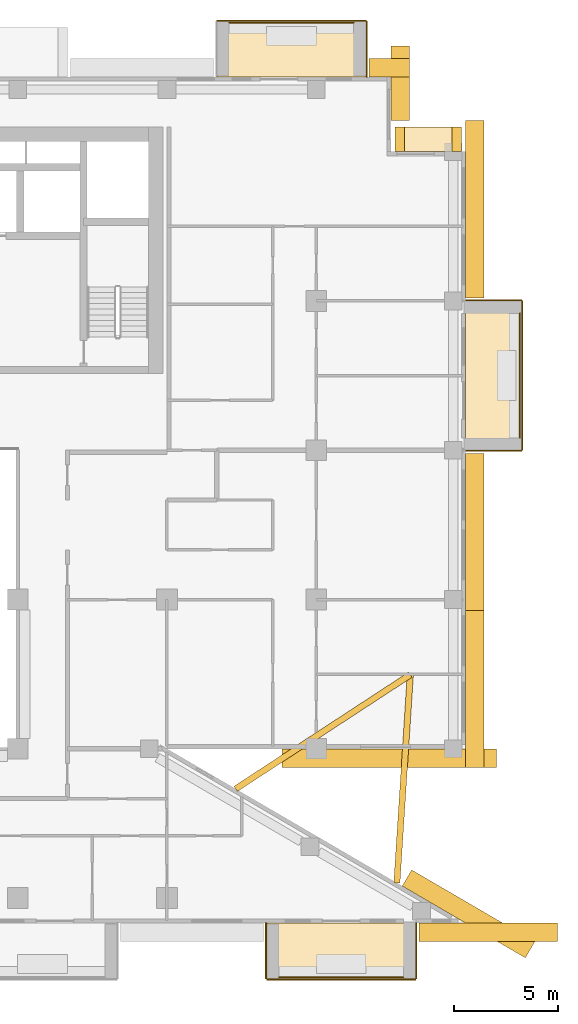
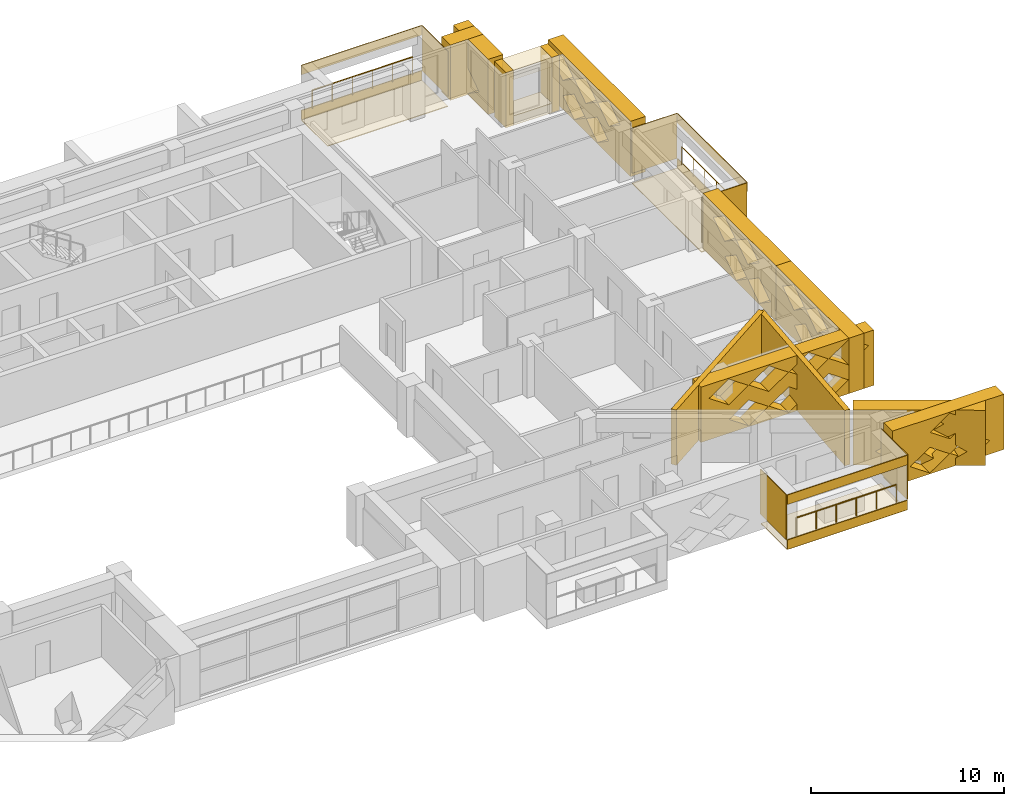
# One storey, part 20 of 20: 28 coverings, 3 railings.
"""IFC4 building model written with IfcOpenShell, lengths in metres."""

from ifc_helpers import new_model, si_unit, direction, frame, origin, origin_2d, place, context, subcontext, project, spatial, polyline, circle, outline, extrude, material, layer, layer_set, type_object, element, save


model = new_model("IFC4")

# Units and contexts
model_context = context("Model", 3, precision=1e-05, world=origin(), true_north=direction((0.0, 1.0)))
body_context = subcontext(model_context, "Body", "Model", "MODEL_VIEW")
ifc_project = project(units=[si_unit("LENGTHUNIT", "METRE"), si_unit("AREAUNIT", "SQUARE_METRE"), si_unit("VOLUMEUNIT", "CUBIC_METRE"), si_unit("PLANEANGLEUNIT", "RADIAN"), si_unit("MASSUNIT", "GRAM", prefix="KILO")], contexts=[model_context])

# Site, building, storey
site_placement = place(None, origin())
site = spatial("IfcSite", under=ifc_project, at=site_placement, CompositionType="ELEMENT")
building_placement = place(site_placement, origin())
building = spatial("IfcBuilding", under=site, at=building_placement, Name="Saffron Iwan Residences", CompositionType="ELEMENT")
storey_placement = place(building_placement, frame((0.0, 0.0, 157.0)))
storey = spatial("IfcBuildingStorey", under=building, at=storey_placement, Name="L41", CompositionType="ELEMENT", Elevation=157.0)

# Railings
ifc_material_1 = material(Name="Stainless steel 316", Category="steel")
railing_type = type_object("IfcRailingType", Name="BALCONY GUARD 1150", PredefinedType="GUARDRAIL", material=ifc_material_1)
railing_1_placement = place(storey_placement, frame((89.02490234375, 63.0, 0.0)))
element("IfcRailing", 1, at=railing_1_placement, inside=storey, type_object=railing_type, Name="Balcony guard L41 F2-0", PredefinedType="GUARDRAIL", context=body_context, shape_type="SweptSolid", body=[
    extrude(circle(Radius=0.02392578125, at=origin_2d()), frame((0.0, 0.0, 1.1259765625), z_axis=(0.0, 1.0, 0.0), x_axis=(-1.0, 0.0, 0.0)), (0.0, 0.0, 1.0), 6.0),
    extrude(circle(Radius=0.02099609375, at=origin_2d()), origin(), (0.0, 0.0, 1.0), 1.101806640625),
    extrude(circle(Radius=0.02099609375, at=origin_2d()), frame((0.0, 1.199951171875, 0.0)), (0.0, 0.0, 1.0), 1.101806640625),
    extrude(circle(Radius=0.02099609375, at=origin_2d()), frame((0.0, 2.39990234375, 0.0)), (0.0, 0.0, 1.0), 1.101806640625),
    extrude(circle(Radius=0.02099609375, at=origin_2d()), frame((0.0, 3.60009765625, 0.0)), (0.0, 0.0, 1.0), 1.101806640625),
    extrude(circle(Radius=0.02099609375, at=origin_2d()), frame((0.0, 4.800048828125, 0.0)), (0.0, 0.0, 1.0), 1.101806640625),
    extrude(circle(Radius=0.02099609375, at=origin_2d()), frame((0.0, 6.0, 0.0)), (0.0, 0.0, 1.0), 1.101806640625),
])
railing_2_placement = place(storey_placement, frame((81.0, 83.02490234375, 0.0)))
element("IfcRailing", 2, at=railing_2_placement, inside=storey, type_object=railing_type, Name="Balcony guard L41 F5-0", PredefinedType="GUARDRAIL", context=body_context, shape_type="SweptSolid", body=[
    extrude(circle(Radius=0.02392578125, at=origin_2d()), frame((0.0, 0.0, 1.1259765625), z_axis=(-1.0, 0.0, 0.0), x_axis=(0.0, -1.0, 0.0)), (0.0, 0.0, 1.0), 6.0),
    extrude(circle(Radius=0.02099609375, at=origin_2d()), origin(), (0.0, 0.0, 1.0), 1.101806640625),
    extrude(circle(Radius=0.02099609375, at=origin_2d()), frame((-1.199951171875, 0.0, 0.0)), (0.0, 0.0, 1.0), 1.101806640625),
    extrude(circle(Radius=0.02099609375, at=origin_2d()), frame((-2.39990234375, 0.0, 0.0)), (0.0, 0.0, 1.0), 1.101806640625),
    extrude(circle(Radius=0.02099609375, at=origin_2d()), frame((-3.60009765625, 0.0, 0.0)), (0.0, 0.0, 1.0), 1.101806640625),
    extrude(circle(Radius=0.02099609375, at=origin_2d()), frame((-4.800048828125, 0.0, 0.0)), (0.0, 0.0, 1.0), 1.101806640625),
    extrude(circle(Radius=0.02099609375, at=origin_2d()), frame((-6.0, 0.0, 0.0)), (0.0, 0.0, 1.0), 1.101806640625),
])
railing_3_placement = place(storey_placement, frame((77.39990234375, 36.97509765625, 0.0)))
element("IfcRailing", 3, at=railing_3_placement, inside=storey, type_object=railing_type, Name="Balcony guard L41 11-3", PredefinedType="GUARDRAIL", context=body_context, shape_type="SweptSolid", body=[
    extrude(circle(Radius=0.02392578125, at=origin_2d()), frame((0.0, 0.0, 1.1259765625), z_axis=(1.0, 0.0, 0.0), x_axis=(0.0, 1.0, 0.0)), (0.0, 0.0, 1.0), 6.0),
    extrude(circle(Radius=0.02099609375, at=origin_2d()), origin(), (0.0, 0.0, 1.0), 1.101806640625),
    extrude(circle(Radius=0.02099609375, at=origin_2d()), frame((1.199951171875, 0.0, 0.0)), (0.0, 0.0, 1.0), 1.101806640625),
    extrude(circle(Radius=0.02099609375, at=origin_2d()), frame((2.39990234375, 0.0, 0.0)), (0.0, 0.0, 1.0), 1.101806640625),
    extrude(circle(Radius=0.02099609375, at=origin_2d()), frame((3.60009765625, 0.0, 0.0)), (0.0, 0.0, 1.0), 1.101806640625),
    extrude(circle(Radius=0.02099609375, at=origin_2d()), frame((4.800048828125, 0.0, 0.0)), (0.0, 0.0, 1.0), 1.101806640625),
    extrude(circle(Radius=0.02099609375, at=origin_2d()), frame((6.0, 0.0, 0.0)), (0.0, 0.0, 1.0), 1.101806640625),
])

# Coverings
ifc_material_2 = material(Name="Precast concrete C40/50 white painted", Category="concrete")
ifc_layer_1 = layer(ifc_material_2, 0.050048828125)
ifc_layer_set_1 = layer_set([ifc_layer_1], Name="Precast concrete C40/50 white painted")
covering_type_1 = type_object("IfcCoveringType", Name="FRAME SKIN PRECAST WHITE 50", PredefinedType="CLADDING", material=ifc_layer_set_1)
for number, where, name in (
    (4, (0.0, 0.0, -0.60009765625), "Frame skin slab edge L41 F2-0"),
    (5, (0.0, 0.0, 2.25), "Frame skin fascia L41 F2-0"),
):
    element("IfcCovering", number, at=place(storey_placement, frame(where)), inside=storey, type_object=covering_type_1, Name=name, PredefinedType="CLADDING", context=body_context, shape_type="SweptSolid", body=[
        extrude(outline(polyline([(89.14990234375, 62.39990234375), (89.14990234375, 69.60009765625), (89.10009765625, 69.60009765625), (89.10009765625, 62.39990234375), (89.14990234375, 62.39990234375)])), origin(), (0.0, 0.0, 1.0), 0.60009765625),
    ])
covering_1_placement = place(storey_placement, frame((0.0, 0.0, -0.64990234375)))
element("IfcCovering", 6, at=covering_1_placement, inside=storey, type_object=covering_type_1, Name="Frame skin soffit L41 F2-0", PredefinedType="CLADDING", context=body_context, shape_type="SweptSolid", body=[
    extrude(outline(polyline([(89.10009765625, 62.39990234375), (89.10009765625, 69.60009765625), (86.39990234375, 69.60009765625), (86.39990234375, 62.39990234375), (89.10009765625, 62.39990234375)])), origin(), (0.0, 0.0, 1.0), 0.0498046875),
])
covering_2_placement = place(storey_placement, origin())
element("IfcCovering", 7, at=covering_2_placement, inside=storey, type_object=covering_type_1, Name="Frame skin fin L41 F2-0a", PredefinedType="CLADDING", context=body_context, shape_type="SweptSolid", body=[
    extrude(outline(polyline([(89.10009765625, 62.35009765625), (89.10009765625, 62.39990234375), (86.39990234375, 62.39990234375), (86.39990234375, 62.35009765625), (89.10009765625, 62.35009765625)])), origin(), (0.0, 0.0, 1.0), 2.85009765625),
])
covering_3_placement = place(storey_placement, origin())
element("IfcCovering", 8, at=covering_3_placement, inside=storey, type_object=covering_type_1, Name="Frame skin fin L41 F2-0b", PredefinedType="CLADDING", context=body_context, shape_type="SweptSolid", body=[
    extrude(outline(polyline([(89.10009765625, 69.60009765625), (89.10009765625, 69.64990234375), (86.39990234375, 69.64990234375), (86.39990234375, 69.60009765625), (89.10009765625, 69.60009765625)])), origin(), (0.0, 0.0, 1.0), 2.85009765625),
])
for number, where, name in (
    (9, (0.0, 0.0, -0.60009765625), "Frame skin slab edge L41 F5-0"),
    (10, (0.0, 0.0, 2.25), "Frame skin fascia L41 F5-0"),
):
    element("IfcCovering", number, at=place(storey_placement, frame(where)), inside=storey, type_object=covering_type_1, Name=name, PredefinedType="CLADDING", context=body_context, shape_type="SweptSolid", body=[
        extrude(outline(polyline([(81.60009765625, 83.14990234375), (74.39990234375, 83.14990234375), (74.39990234375, 83.10009765625), (81.60009765625, 83.10009765625), (81.60009765625, 83.14990234375)])), origin(), (0.0, 0.0, 1.0), 0.60009765625),
    ])
covering_4_placement = place(storey_placement, frame((0.0, 0.0, -0.64990234375)))
element("IfcCovering", 11, at=covering_4_placement, inside=storey, type_object=covering_type_1, Name="Frame skin soffit L41 F5-0", PredefinedType="CLADDING", context=body_context, shape_type="SweptSolid", body=[
    extrude(outline(polyline([(81.60009765625, 83.10009765625), (74.39990234375, 83.10009765625), (74.39990234375, 80.39990234375), (81.60009765625, 80.39990234375), (81.60009765625, 83.10009765625)])), origin(), (0.0, 0.0, 1.0), 0.0498046875),
])
covering_5_placement = place(storey_placement, origin())
element("IfcCovering", 12, at=covering_5_placement, inside=storey, type_object=covering_type_1, Name="Frame skin fin L41 F5-0a", PredefinedType="CLADDING", context=body_context, shape_type="SweptSolid", body=[
    extrude(outline(polyline([(81.64990234375, 83.10009765625), (81.60009765625, 83.10009765625), (81.60009765625, 80.39990234375), (81.64990234375, 80.39990234375), (81.64990234375, 83.10009765625)])), origin(), (0.0, 0.0, 1.0), 2.85009765625),
])
for number, where, name in (
    (13, (0.0, 0.0, -0.60009765625), "Frame skin slab edge L41 11-3"),
    (14, (0.0, 0.0, 2.25), "Frame skin fascia L41 11-3"),
):
    element("IfcCovering", number, at=place(storey_placement, frame(where)), inside=storey, type_object=covering_type_1, Name=name, PredefinedType="CLADDING", context=body_context, shape_type="SweptSolid", body=[
        extrude(outline(polyline([(76.800048828125, 36.85009765625), (84.0, 36.85009765625), (84.0, 36.89990234375), (76.800048828125, 36.89990234375), (76.800048828125, 36.85009765625)])), origin(), (0.0, 0.0, 1.0), 0.60009765625),
    ])
covering_6_placement = place(storey_placement, frame((0.0, 0.0, -0.64990234375)))
element("IfcCovering", 15, at=covering_6_placement, inside=storey, type_object=covering_type_1, Name="Frame skin soffit L41 11-3", PredefinedType="CLADDING", context=body_context, shape_type="SweptSolid", body=[
    extrude(outline(polyline([(76.800048828125, 36.89990234375), (84.0, 36.89990234375), (84.0, 39.60009765625), (76.800048828125, 39.60009765625), (76.800048828125, 36.89990234375)])), origin(), (0.0, 0.0, 1.0), 0.0498046875),
])
covering_7_placement = place(storey_placement, origin())
element("IfcCovering", 16, at=covering_7_placement, inside=storey, type_object=covering_type_1, Name="Frame skin fin L41 11-3a", PredefinedType="CLADDING", context=body_context, shape_type="SweptSolid", body=[
    extrude(outline(polyline([(76.75, 36.89990234375), (76.800048828125, 36.89990234375), (76.800048828125, 39.60009765625), (76.75, 39.60009765625), (76.75, 36.89990234375)])), origin(), (0.0, 0.0, 1.0), 2.85009765625),
])
covering_8_placement = place(storey_placement, origin())
element("IfcCovering", 17, at=covering_8_placement, inside=storey, type_object=covering_type_1, Name="Frame skin fin L41 11-3b", PredefinedType="CLADDING", context=body_context, shape_type="SweptSolid", body=[
    extrude(outline(polyline([(84.0, 36.89990234375), (84.050048828125, 36.89990234375), (84.050048828125, 39.60009765625), (84.0, 39.60009765625), (84.0, 36.89990234375)])), origin(), (0.0, 0.0, 1.0), 2.85009765625),
])
ifc_material_3 = material(Name="Precast concrete C40/50", Category="concrete")
covering_type_2 = type_object("IfcCoveringType", Name="OUTER SKIN LATTICE SCREEN", PredefinedType="CLADDING", material=ifc_material_3)
covering_9_placement = place(storey_placement, frame((89.283935546875, 37.917724609375, -0.300048828125), z_axis=(0.503803550485, 0.863818257806, 0.0), x_axis=(-0.863818257806, 0.503803550485, 0.0)))
element("IfcCovering", 18, at=covering_9_placement, inside=storey, type_object=covering_type_2, Name="OUTER SKIN lattice screen L41 F0.0", PredefinedType="CLADDING", context=body_context, shape_type="SweptSolid", body=[
    extrude(outline(polyline([(0.0, 0.0), (6.874267578125, 0.0), (6.874267578125, 3.5), (0.0, 3.5), (0.0, 0.0)]), holes=[polyline([(0.958740234375, 0.875), (2.138671875, 0.06005859375), (3.318603515625, 0.875), (2.138671875, 1.68994140625), (0.958740234375, 0.875)]), polyline([(3.358642578125, 0.875), (4.538818359375, 0.06005859375), (5.71875, 0.875), (4.538818359375, 1.68994140625), (3.358642578125, 0.875)]), polyline([(2.15869140625, 2.625), (3.338623046875, 1.81005859375), (4.518798828125, 2.625), (3.338623046875, 3.43994140625), (2.15869140625, 2.625)])]), origin(), (0.0, 0.0, 1.0), 0.89990234375),
])
covering_10_placement = place(storey_placement, frame((77.538818359375, 48.0, -0.300048828125), z_axis=(0.0, -1.0, 0.0), x_axis=(1.0, 0.0, 0.0)))
element("IfcCovering", 19, at=covering_10_placement, inside=storey, type_object=covering_type_2, Name="OUTER SKIN lattice screen L41 F1.0", PredefinedType="CLADDING", context=body_context, shape_type="SweptSolid", body=[
    extrude(outline(polyline([(0.0, 0.0), (10.361328125, 0.0), (10.361328125, 3.5), (0.0, 3.5), (0.0, 0.0)]), holes=[polyline([(1.681396484375, 0.875), (2.861328125, 0.06005859375), (4.041259765625, 0.875), (2.861328125, 1.68994140625), (1.681396484375, 0.875)]), polyline([(4.081298828125, 0.875), (5.26123046875, 0.06005859375), (6.44140625, 0.875), (5.26123046875, 1.68994140625), (4.081298828125, 0.875)]), polyline([(6.481201171875, 0.875), (7.661376953125, 0.06005859375), (8.84130859375, 0.875), (7.661376953125, 1.68994140625), (6.481201171875, 0.875)]), polyline([(0.481201171875, 2.625), (1.661376953125, 1.81005859375), (2.84130859375, 2.625), (1.661376953125, 3.43994140625), (0.481201171875, 2.625)]), polyline([(2.88134765625, 2.625), (4.061279296875, 1.81005859375), (5.2412109375, 2.625), (4.061279296875, 3.43994140625), (2.88134765625, 2.625)]), polyline([(5.28125, 2.625), (6.461181640625, 1.81005859375), (7.641357421875, 2.625), (6.461181640625, 3.43994140625), (5.28125, 2.625)]), polyline([(7.681396484375, 2.625), (8.861328125, 1.81005859375), (10.041259765625, 2.625), (8.861328125, 3.43994140625), (7.681396484375, 2.625)])]), origin(), (0.0, 0.0, 1.0), 0.89990234375),
])
covering_11_placement = place(storey_placement, frame((86.39990234375, 47.10009765625, -0.300048828125), z_axis=(1.0, 0.0, 0.0), x_axis=(0.0, 1.0, 0.0)))
element("IfcCovering", 20, at=covering_11_placement, inside=storey, type_object=covering_type_2, Name="OUTER SKIN lattice screen L41 F2.0", PredefinedType="CLADDING", context=body_context, shape_type="SweptSolid", body=[
    extrude(outline(polyline([(0.0, 0.0), (7.574951171875, 0.0), (7.574951171875, 3.5), (0.0, 3.5), (0.0, 0.0)]), holes=[polyline([(0.919921875, 0.875), (2.10009765625, 0.06005859375), (3.280029296875, 0.875), (2.10009765625, 1.68994140625), (0.919921875, 0.875)]), polyline([(3.320068359375, 0.875), (4.5, 0.06005859375), (5.679931640625, 0.875), (4.5, 1.68994140625), (3.320068359375, 0.875)]), polyline([(2.1201171875, 2.625), (3.300048828125, 1.81005859375), (4.47998046875, 2.625), (3.300048828125, 3.43994140625), (2.1201171875, 2.625)]), polyline([(4.52001953125, 2.625), (5.699951171875, 1.81005859375), (6.8798828125, 2.625), (5.699951171875, 3.43994140625), (4.52001953125, 2.625)])]), origin(), (0.0, 0.0, 1.0), 0.900146484375),
])
covering_12_placement = place(storey_placement, frame((86.39990234375, 54.675048828125, -0.300048828125), z_axis=(1.0, 0.0, 0.0), x_axis=(0.0, 1.0, 0.0)))
element("IfcCovering", 21, at=covering_12_placement, inside=storey, type_object=covering_type_2, Name="OUTER SKIN lattice screen L41 F2.1", PredefinedType="CLADDING", context=body_context, shape_type="SweptSolid", body=[
    extrude(outline(polyline([(0.0, 0.0), (7.574951171875, 0.0), (7.574951171875, 3.5), (0.0, 3.5), (0.0, 0.0)]), holes=[polyline([(0.544921875, 0.875), (1.72509765625, 0.06005859375), (2.905029296875, 0.875), (1.72509765625, 1.68994140625), (0.544921875, 0.875)]), polyline([(2.945068359375, 0.875), (4.125, 0.06005859375), (5.304931640625, 0.875), (4.125, 1.68994140625), (2.945068359375, 0.875)]), polyline([(1.7451171875, 2.625), (2.925048828125, 1.81005859375), (4.10498046875, 2.625), (2.925048828125, 3.43994140625), (1.7451171875, 2.625)]), polyline([(4.14501953125, 2.625), (5.324951171875, 1.81005859375), (6.5048828125, 2.625), (5.324951171875, 3.43994140625), (4.14501953125, 2.625)])]), origin(), (0.0, 0.0, 1.0), 0.900146484375),
])
covering_13_placement = place(storey_placement, frame((86.39990234375, 69.75, -0.300048828125), z_axis=(1.0, 0.0, 0.0), x_axis=(0.0, 1.0, 0.0)))
element("IfcCovering", 22, at=covering_13_placement, inside=storey, type_object=covering_type_2, Name="OUTER SKIN lattice screen L41 F2.2", PredefinedType="CLADDING", context=body_context, shape_type="SweptSolid", body=[
    extrude(outline(polyline([(0.0, 0.0), (8.550048828125, 0.0), (8.550048828125, 3.5), (0.0, 3.5), (0.0, 0.0)]), holes=[polyline([(2.27001953125, 0.875), (3.449951171875, 0.06005859375), (4.6298828125, 0.875), (3.449951171875, 1.68994140625), (2.27001953125, 0.875)]), polyline([(4.669921875, 0.875), (5.85009765625, 0.06005859375), (7.030029296875, 0.875), (5.85009765625, 1.68994140625), (4.669921875, 0.875)]), polyline([(1.070068359375, 2.625), (2.25, 1.81005859375), (3.429931640625, 2.625), (2.25, 3.43994140625), (1.070068359375, 2.625)]), polyline([(3.469970703125, 2.625), (4.64990234375, 1.81005859375), (5.830078125, 2.625), (4.64990234375, 3.43994140625), (3.469970703125, 2.625)]), polyline([(5.8701171875, 2.625), (7.050048828125, 1.81005859375), (8.22998046875, 2.625), (7.050048828125, 3.43994140625), (5.8701171875, 2.625)])]), origin(), (0.0, 0.0, 1.0), 0.900146484375),
])
covering_14_placement = place(storey_placement, frame((82.800048828125, 78.300048828125, -0.300048828125), z_axis=(1.0, 0.0, 0.0), x_axis=(0.0, 1.0, 0.0)))
element("IfcCovering", 23, at=covering_14_placement, inside=storey, type_object=covering_type_2, Name="OUTER SKIN lattice screen L41 F4.0", PredefinedType="CLADDING", context=body_context, shape_type="SweptSolid", body=[
    extrude(outline(polyline([(0.0, 0.0), (3.60009765625, 0.0), (3.60009765625, 3.5), (0.0, 3.5), (0.0, 0.0)]), holes=[polyline([(0.919921875, 0.875), (2.10009765625, 0.06005859375), (3.280029296875, 0.875), (2.10009765625, 1.68994140625), (0.919921875, 0.875)])]), origin(), (0.0, 0.0, 1.0), 0.89990234375),
])
covering_15_placement = place(storey_placement, frame((83.699951171875, 80.39990234375, -0.300048828125), z_axis=(0.0, 1.0, 0.0), x_axis=(-1.0, 0.0, 0.0)))
element("IfcCovering", 24, at=covering_15_placement, inside=storey, type_object=covering_type_2, Name="OUTER SKIN lattice screen L41 F5.0", PredefinedType="CLADDING", context=body_context, shape_type="SweptSolid", body=[
    extrude(outline(polyline([(0.0, 0.0), (1.949951171875, 0.0), (1.949951171875, 3.5), (0.0, 3.5), (0.0, 0.0)])), origin(), (0.0, 0.0, 1.0), 0.900146484375),
])
covering_16_placement = place(storey_placement, frame((84.14990234375, 39.60009765625, -0.300048828125), z_axis=(0.0, -1.0, 0.0), x_axis=(1.0, 0.0, 0.0)))
element("IfcCovering", 25, at=covering_16_placement, inside=storey, type_object=covering_type_2, Name="OUTER SKIN lattice screen L41 F11.5", PredefinedType="CLADDING", context=body_context, shape_type="SweptSolid", body=[
    extrude(outline(polyline([(0.0, 0.0), (6.688720703125, 0.0), (6.688720703125, 3.5), (0.0, 3.5), (0.0, 0.0)]), holes=[polyline([(1.070068359375, 0.875), (2.25, 0.06005859375), (3.429931640625, 0.875), (2.25, 1.68994140625), (1.070068359375, 0.875)]), polyline([(3.469970703125, 0.875), (4.64990234375, 0.06005859375), (5.830078125, 0.875), (4.64990234375, 1.68994140625), (3.469970703125, 0.875)]), polyline([(2.27001953125, 2.625), (3.449951171875, 1.81005859375), (4.6298828125, 2.625), (3.449951171875, 3.43994140625), (2.27001953125, 2.625)])]), origin(), (0.0, 0.0, 1.0), 0.900146484375),
])
ifc_layer_2 = layer(ifc_material_2, 0.300048828125)
ifc_layer_set_2 = layer_set([ifc_layer_2], Name="Precast concrete C40/50 white painted")
covering_type_3 = type_object("IfcCoveringType", Name="PROW NOSE BLADE PRECAST WHITE", PredefinedType="CLADDING", material=ifc_layer_set_2)
covering_17_placement = place(storey_placement, frame((0.0, 0.0, -0.300048828125)))
element("IfcCovering", 26, at=covering_17_placement, inside=storey, type_object=covering_type_3, Name="Prow nose blade L41 a", PredefinedType="CLADDING", context=body_context, shape_type="SweptSolid", body=[
    extrude(outline(polyline([(83.23681640625, 41.52294921875), (83.884521484375, 51.564453125), (83.585205078125, 51.583740234375), (82.937255859375, 41.542236328125), (83.23681640625, 41.52294921875)])), origin(), (0.0, 0.0, 1.0), 3.5),
])
covering_18_placement = place(storey_placement, frame((0.0, 0.0, -0.300048828125)))
element("IfcCovering", 27, at=covering_18_placement, inside=storey, type_object=covering_type_3, Name="Prow nose blade L41 b", PredefinedType="CLADDING", context=body_context, shape_type="SweptSolid", body=[
    extrude(outline(polyline([(75.39501953125, 45.94189453125), (83.81689453125, 51.448486328125), (83.65283203125, 51.69970703125), (75.23095703125, 46.193115234375), (75.39501953125, 45.94189453125)])), origin(), (0.0, 0.0, 1.0), 3.5),
])
covering_type_4 = type_object("IfcCoveringType", Name="WHITE SUN FRAME PRECAST", PredefinedType="CLADDING", material=ifc_material_2)
for number, where, z_axis, x_axis, name in (
    (28, (86.199951171875, 76.800048828125, -0.300048828125), (0.0, 1.0, 0.0), (-1.0, 0.0, 0.0), "Sun frame L41 F3 0.2a"),
    (29, (83.449951171875, 76.800048828125, -0.300048828125), (0.0, 1.0, 0.0), (-1.0, 0.0, 0.0), "Sun frame L41 F3 0.2b"),
):
    element("IfcCovering", number, at=place(storey_placement, frame(where, z_axis=z_axis, x_axis=x_axis)), inside=storey, type_object=covering_type_4, Name=name, PredefinedType="CLADDING", context=body_context, shape_type="SweptSolid", body=[
        extrude(outline(polyline([(0.0, 0.0), (0.449951171875, 0.0), (0.449951171875, 3.5), (0.0, 3.5), (0.0, 0.0)])), origin(), (0.0, 0.0, 1.0), 1.199951171875),
    ])
for number, where, z_axis, x_axis, name in (
    (30, (85.75, 76.800048828125, 2.60009765625), (0.0, 1.0, 0.0), (-1.0, 0.0, 0.0), "Sun frame L41 F3 0.2h"),
    (31, (85.75, 76.800048828125, -0.300048828125), (0.0, 1.0, 0.0), (-1.0, 0.0, 0.0), "Sun frame L41 F3 0.2s"),
):
    element("IfcCovering", number, at=place(storey_placement, frame(where, z_axis=z_axis, x_axis=x_axis)), inside=storey, type_object=covering_type_4, Name=name, PredefinedType="CLADDING", context=body_context, shape_type="SweptSolid", body=[
        extrude(outline(polyline([(0.0, 0.0), (2.300048828125, 0.0), (2.300048828125, 0.60009765625), (0.0, 0.60009765625), (0.0, 0.0)])), origin(), (0.0, 0.0, 1.0), 1.199951171875),
    ])

save(model, "model.ifc")
